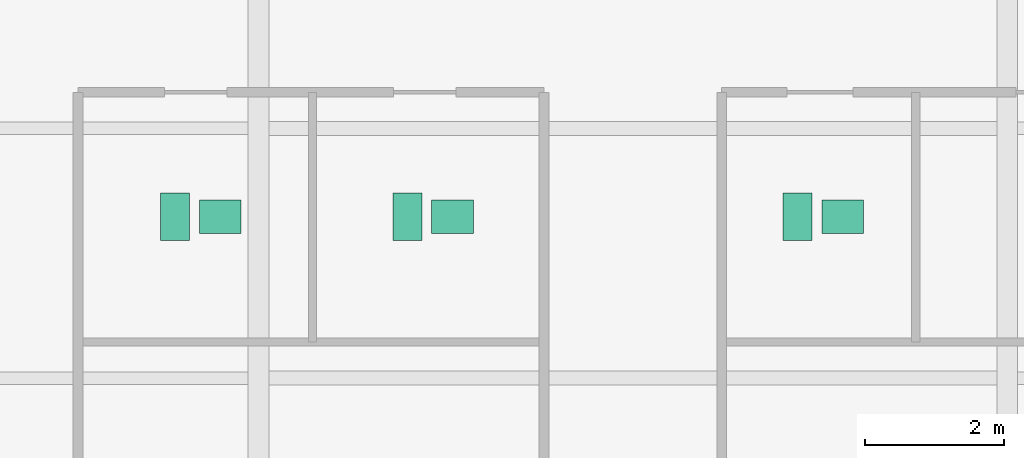
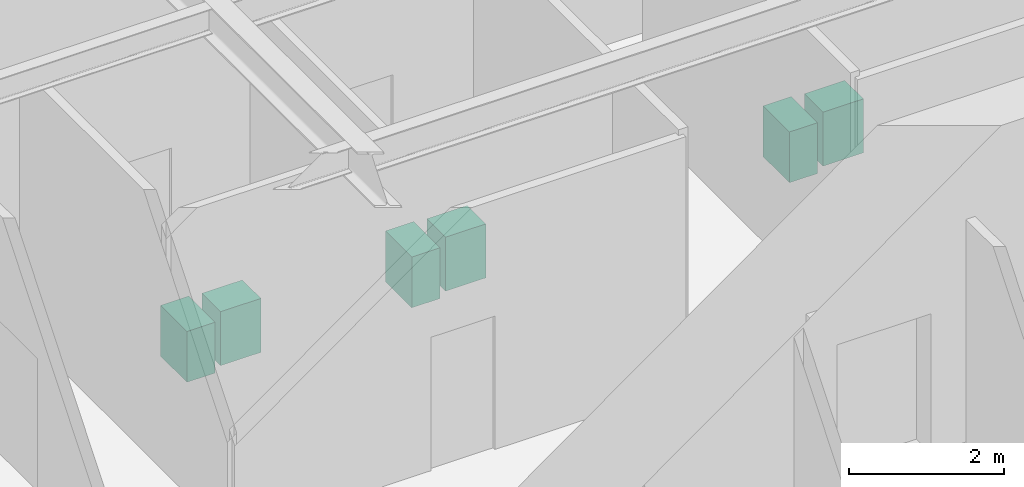
# One storey, part 24 of 24: 6 sanitary terminals.
"""IFC4 building model written with IfcOpenShell, lengths in metres."""

from ifc_helpers import new_model, si_unit, direction, frame, origin, origin_2d, place, context, subcontext, project, spatial, rectangle, extrude, source, transform, mapped, material, type_object, type_shapes, element, save


model = new_model("IFC4")

# Units and contexts
model_context = context("Model", 3, precision=1e-05, world=origin(), true_north=direction((0.0, 1.0)))
body_context = subcontext(model_context, "Body", "Model", "MODEL_VIEW")
ifc_project = project(units=[si_unit("LENGTHUNIT", "METRE"), si_unit("AREAUNIT", "SQUARE_METRE"), si_unit("VOLUMEUNIT", "CUBIC_METRE"), si_unit("PLANEANGLEUNIT", "RADIAN"), si_unit("MASSUNIT", "GRAM", prefix="KILO")], contexts=[model_context])

# Site, building, storey
site_placement = place(None, origin())
site = spatial("IfcSite", under=ifc_project, at=site_placement, CompositionType="ELEMENT")
building_placement = place(site_placement, origin())
building = spatial("IfcBuilding", under=site, at=building_placement, Name="Krantzveldt Concourse Tower", CompositionType="ELEMENT")
storey_placement = place(building_placement, frame((0.0, 0.0, 141.39990234375)))
storey = spatial("IfcBuildingStorey", under=building, at=storey_placement, Name="L34", CompositionType="ELEMENT", Elevation=141.39990234375)

# Sanitary terminals
ifc_material = material(Name="Vitreous china", Category="ceramic")
sanitary_terminal_type_1 = type_object("IfcSanitaryTerminalType", Name="SAN-WC-SUITE", PredefinedType="TOILETPAN", material=ifc_material)
shared_shape_1 = source(origin(), body_context, "Body", "SweptSolid", [
    extrude(rectangle(XDim=0.419921875, YDim=0.679931640625, at=origin_2d()), origin(), (0.0, 0.0, 1.0), 0.800048828125),
])
type_shapes(sanitary_terminal_type_1, [shared_shape_1])
for number, where, z_axis, x_axis, name in (
    (1, (29.39990234375, 32.52490234375, 0.0), (0.0, 0.0, 1.0), (1.0, 0.0, 0.0), "WC-SP-L34-WCM"),
    (2, (32.75, 32.52490234375, 0.0), (0.0, 0.0, 1.0), (1.0, 0.0, 0.0), "WC-SP-L34-WCF"),
    (3, (38.375, 32.52490234375, 0.0), (0.0, 0.0, 1.0), (1.0, 0.0, 0.0), "WC-SP-L34-WCA"),
):
    element("IfcSanitaryTerminal", number, at=place(storey_placement, frame(where, z_axis=z_axis, x_axis=x_axis)), inside=storey, type_object=sanitary_terminal_type_1, Name=name, PredefinedType="TOILETPAN", context=body_context, shape_type="MappedRepresentation", body=[
        mapped(shared_shape_1, transform((0.0, 0.0, 0.0), x_axis=(1.0, 0.0, 0.0), y_axis=(0.0, 1.0, 0.0), z_axis=(0.0, 0.0, 1.0), scale=1.0)),
    ])
sanitary_terminal_type_2 = type_object("IfcSanitaryTerminalType", Name="SAN-BASIN-600", PredefinedType="WASHHANDBASIN", material=ifc_material)
shared_shape_2 = source(origin(), body_context, "Body", "SweptSolid", [
    extrude(rectangle(XDim=0.60009765625, YDim=0.47998046875, at=origin_2d()), origin(), (0.0, 0.0, 1.0), 0.85009765625),
])
type_shapes(sanitary_terminal_type_2, [shared_shape_2])
for number, where, z_axis, x_axis, name in (
    (4, (30.050048828125, 32.52490234375, 0.005126953125), (0.0, 0.0, 1.0), (1.0, 0.0, 0.0), "BSN-SP-L34-WCM"),
    (5, (33.39990234375, 32.52490234375, 0.005126953125), (0.0, 0.0, 1.0), (1.0, 0.0, 0.0), "BSN-SP-L34-WCF"),
    (6, (39.02490234375, 32.52490234375, 0.005126953125), (0.0, 0.0, 1.0), (1.0, 0.0, 0.0), "BSN-SP-L34-WCA"),
):
    element("IfcSanitaryTerminal", number, at=place(storey_placement, frame(where, z_axis=z_axis, x_axis=x_axis)), inside=storey, type_object=sanitary_terminal_type_2, Name=name, PredefinedType="WASHHANDBASIN", context=body_context, shape_type="MappedRepresentation", body=[
        mapped(shared_shape_2, transform((0.0, 0.0, 0.0), x_axis=(1.0, 0.0, 0.0), y_axis=(0.0, 1.0, 0.0), z_axis=(0.0, 0.0, 1.0), scale=1.0)),
    ])

save(model, "model.ifc")
